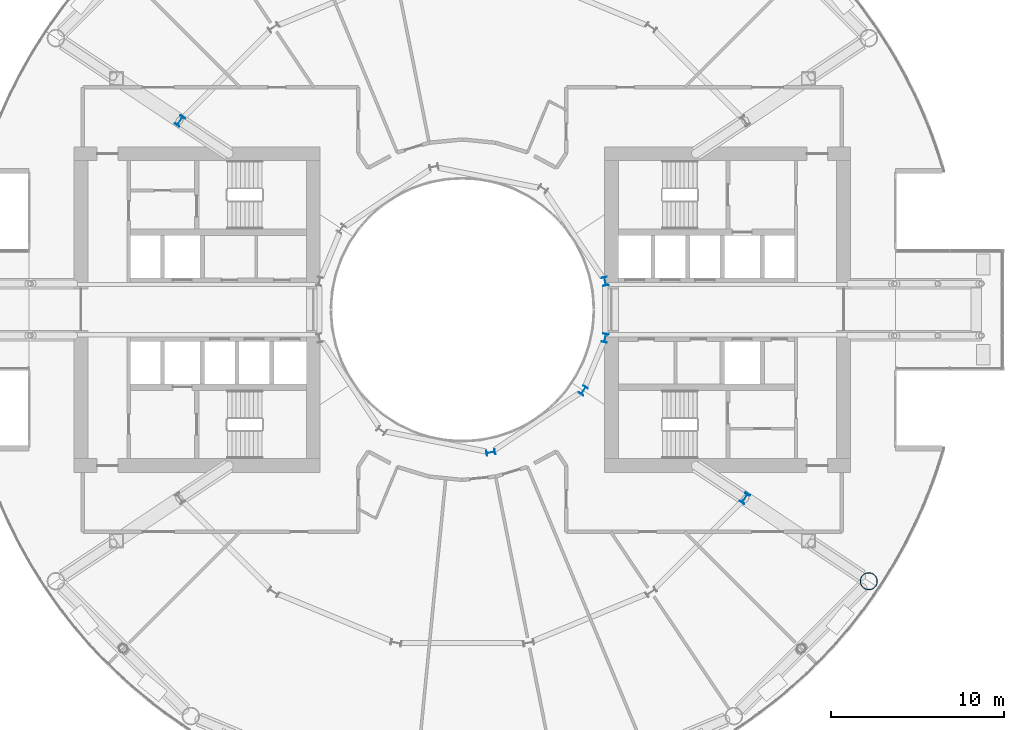
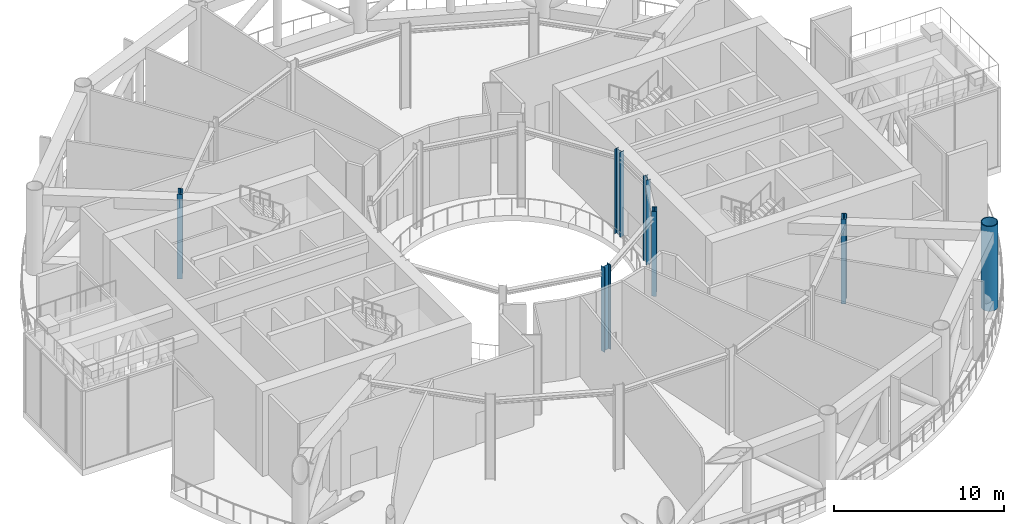
# One storey, part 2 of 22: 7 columns.
"""IFC4 building model written with IfcOpenShell, lengths in metres."""

from ifc_helpers import new_model, si_unit, direction, frame, origin, origin_2d, place, context, subcontext, project, spatial, hollow_circle, i_section, extrude, material, material_profile, profile_set, type_object, element, save


model = new_model("IFC4")

# Units and contexts
model_context = context("Model", 3, precision=1e-05, world=origin(), true_north=direction((0.0, 1.0)))
body_context = subcontext(model_context, "Body", "Model", "MODEL_VIEW")
ifc_project = project(units=[si_unit("LENGTHUNIT", "METRE"), si_unit("AREAUNIT", "SQUARE_METRE"), si_unit("VOLUMEUNIT", "CUBIC_METRE"), si_unit("PLANEANGLEUNIT", "RADIAN"), si_unit("MASSUNIT", "GRAM", prefix="KILO")], contexts=[model_context])

# Site, building, storey
site_placement = place(None, origin())
site = spatial("IfcSite", under=ifc_project, at=site_placement, CompositionType="ELEMENT")
building_placement = place(site_placement, origin())
building = spatial("IfcBuilding", under=site, at=building_placement, Name="Maasbend Ring Residences", CompositionType="ELEMENT")
storey_placement = place(building_placement, frame((0.0, 0.0, 57.5)))
storey = spatial("IfcBuildingStorey", under=building, at=storey_placement, Name="L16", CompositionType="ELEMENT", Elevation=57.5)

# Columns
ifc_material_1 = material(Name="Composite concrete-filled steel tube S460NH / C80/95", Category="concrete")
ifc_material_profile_1 = material_profile(ifc_material_1, hollow_circle(Radius=0.508056640625, WallThickness=0.050048828125, at=origin_2d()), Name="Composite tube column CHS 1016x50")
ifc_profile_set_1 = profile_set([ifc_material_profile_1], Name="Composite concrete-filled steel tube S460NH / C80/95")
column_type_1 = type_object("IfcColumnType", Name="Composite tube column CHS 1016x50", PredefinedType="COLUMN", material=ifc_profile_set_1)
column_placement = place(storey_placement, frame((23.447509765625, -15.6669921875, 0.0), z_axis=(0.0, 0.0, 1.0), x_axis=(1.0, 0.0, 0.0)))
element("IfcColumn", 1, at=column_placement, inside=storey, type_object=column_type_1, Name="Outer column R15", PredefinedType="COLUMN", context=body_context, shape_type="SweptSolid", body=[
    extrude(hollow_circle(Radius=0.508056640625, WallThickness=0.050048828125, at=origin_2d()), origin(), (0.0, 0.0, 1.0), 6.10009765625),
])
ifc_material_2 = material(Name="Steel S355J2", Category="steel")
ifc_material_profile_2 = material_profile(ifc_material_2, i_section(OverallWidth=0.300048828125, OverallDepth=0.5, WebThickness=0.014404296875, FlangeThickness=0.028076171875, FilletRadius=0.027099609375, at=origin_2d()), Name="HEB 500")
ifc_profile_set_2 = profile_set([ifc_material_profile_2], Name="Steel S355J2")
column_type_2 = type_object("IfcColumnType", Name="Steel column HEB 500", PredefinedType="COLUMN", material=ifc_profile_set_2)
for number, where, z_axis, x_axis, name in (
    (2, (8.238525390625, 1.638916015625, 0.0), (0.0, 0.0, 1.0), (0.980785280403, 0.195090322016, 0.0), "Well ring column R1"),
    (3, (1.638916015625, -8.238525390625, 0.0), (0.0, 0.0, 1.0), (0.195090322016, -0.980785280403, 0.0), "Well ring column R13"),
    (4, (6.984375, -4.666748046875, 0.0), (0.0, 0.0, 1.0), (0.831469612303, -0.55557023302, 0.0), "Well ring column R15"),
    (5, (8.238525390625, -1.638916015625, 0.0), (0.0, 0.0, 1.0), (0.980785280403, -0.195090322016, 0.0), "Well ring column R16"),
):
    element("IfcColumn", number, at=place(storey_placement, frame(where, z_axis=z_axis, x_axis=x_axis)), inside=storey, type_object=column_type_2, Name=name, PredefinedType="COLUMN", context=body_context, shape_type="SweptSolid", body=[
        extrude(i_section(OverallWidth=0.300048828125, OverallDepth=0.5, WebThickness=0.014404296875, FlangeThickness=0.028076171875, FilletRadius=0.027099609375, at=origin_2d()), origin(), (0.0, 0.0, 1.0), 6.10009765625),
    ])
ifc_material_3 = material(Name="Steel S460M", Category="steel")
ifc_material_profile_3 = material_profile(ifc_material_3, i_section(OverallWidth=0.304931640625, OverallDepth=0.6201171875, WebThickness=0.02099609375, FlangeThickness=0.0400390625, FilletRadius=0.027099609375, at=origin_2d()), Name="HEM 600")
ifc_profile_set_3 = profile_set([ifc_material_profile_3], Name="Steel S460M")
column_type_3 = type_object("IfcColumnType", Name="Steel column HEM 600", PredefinedType="COLUMN", material=ifc_profile_set_3)
for number, where, z_axis, x_axis, name in (
    (6, (-16.296875, 10.88916015625, 0.0), (0.0, 0.0, 1.0), (-0.831469612303, 0.55557023302, 0.0), "Corridor ring column R7"),
    (7, (16.296875, -10.88916015625, 0.0), (0.0, 0.0, 1.0), (0.831469612303, -0.55557023302, 0.0), "Corridor ring column R15"),
):
    element("IfcColumn", number, at=place(storey_placement, frame(where, z_axis=z_axis, x_axis=x_axis)), inside=storey, type_object=column_type_3, Name=name, PredefinedType="COLUMN", context=body_context, shape_type="SweptSolid", body=[
        extrude(i_section(OverallWidth=0.304931640625, OverallDepth=0.6201171875, WebThickness=0.02099609375, FlangeThickness=0.0400390625, FilletRadius=0.027099609375, at=origin_2d()), origin(), (0.0, 0.0, 1.0), 6.10009765625),
    ])

save(model, "model.ifc")
